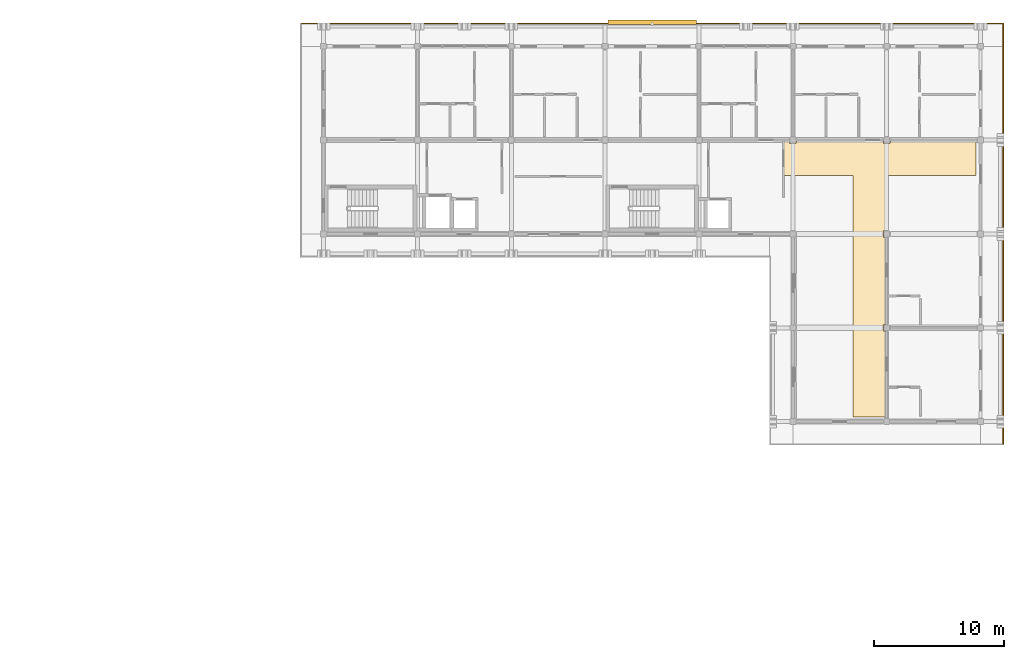
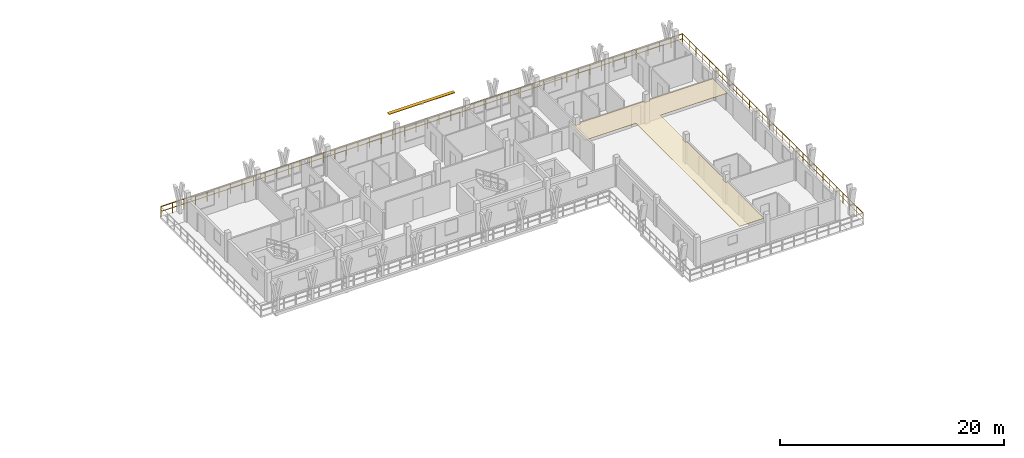
# One storey, part 56 of 56: 2 railings, 1 covering, 1 shading device.
"""IFC4 building model written with IfcOpenShell, lengths in metres."""

from ifc_helpers import new_model, si_unit, direction, frame, origin, origin_2d, place, context, subcontext, project, spatial, polyline, rectangle, outline, extrude, material, layer, layer_set, type_object, element, save


model = new_model("IFC4")

# Units and contexts
model_context = context("Model", 3, precision=1e-05, world=origin(), true_north=direction((0.0, 1.0)))
body_context = subcontext(model_context, "Body", "Model", "MODEL_VIEW")
ifc_project = project(units=[si_unit("LENGTHUNIT", "METRE"), si_unit("AREAUNIT", "SQUARE_METRE"), si_unit("VOLUMEUNIT", "CUBIC_METRE"), si_unit("PLANEANGLEUNIT", "RADIAN"), si_unit("MASSUNIT", "GRAM", prefix="KILO")], contexts=[model_context])

# Site, building, storey
site_placement = place(None, origin())
site = spatial("IfcSite", under=ifc_project, at=site_placement, CompositionType="ELEMENT")
building_placement = place(site_placement, origin())
building = spatial("IfcBuilding", under=site, at=building_placement, Name="Suanplinth Sawtooth Commons", CompositionType="ELEMENT")
storey_placement = place(building_placement, frame((0.0, 0.0, 34.800048828125)))
storey = spatial("IfcBuildingStorey", under=building, at=storey_placement, Name="L10", CompositionType="ELEMENT", Elevation=34.800048828125)

# Covering
ifc_material_1 = material(Name="Mineral fibre acoustic tile")
ifc_layer = layer(ifc_material_1, 0.0400390625, Name="Perforated mineral-fibre acoustic suspended ceiling")
ifc_layer_set = layer_set([ifc_layer], Name="Mineral fibre acoustic tile")
covering_type = type_object("IfcCoveringType", Name="CV-CE01", PredefinedType="CEILING", material=ifc_layer_set)
covering_placement = place(storey_placement, frame((0.0, 0.0, 2.3798828125)))
element("IfcCovering", 1, at=covering_placement, inside=storey, type_object=covering_type, Name="L10 Block B Corridor Acoustic Ceiling", PredefinedType="CEILING", context=body_context, shape_type="SweptSolid", body=[
    extrude(outline(polyline([(172.544921875, 115.1201171875), (172.544921875, 114.945068359375), (173.054931640625, 114.945068359375), (173.054931640625, 115.1201171875), (179.7451171875, 115.1201171875), (179.7451171875, 114.945068359375), (180.2548828125, 114.945068359375), (180.2548828125, 115.1201171875), (186.840087890625, 115.1201171875), (186.840087890625, 112.5), (179.919921875, 112.5), (179.919921875, 108.2548828125), (179.7451171875, 108.2548828125), (179.7451171875, 107.7451171875), (179.919921875, 107.7451171875), (179.919921875, 101.054931640625), (179.7451171875, 101.054931640625), (179.7451171875, 100.544921875), (179.919921875, 100.544921875), (179.919921875, 93.9599609375), (177.39990234375, 93.9599609375), (177.39990234375, 112.5), (172.1201171875, 112.5), (172.1201171875, 115.1201171875), (172.544921875, 115.1201171875)])), origin(), (0.0, 0.0, 1.0), 0.0400390625),
])

# Railings
ifc_material_2 = material(Name="Powder-coated galvanized steel", Category="steel")
railing_type = type_object("IfcRailingType", Name="GR-01", PredefinedType="BALUSTRADE", material=ifc_material_2)
railing_1_placement = place(storey_placement, frame((135.06005859375, 124.139892578125, 0.0)))
element("IfcRailing", 2, at=railing_1_placement, inside=storey, type_object=railing_type, Name="L10 Block B Perimeter Balustrade 4", PredefinedType="BALUSTRADE", context=body_context, shape_type="SweptSolid", body=[
    extrude(rectangle(XDim=0.048095703125, YDim=0.048095703125, at=origin_2d()), frame((0.0, 0.0, 1.09619140625), z_axis=(1.0, 0.0, 0.0), x_axis=(0.0, 1.0, 0.0)), (0.0, 0.0, 1.0), 53.8798828125),
    extrude(rectangle(XDim=0.03369140625, YDim=0.03369140625, at=origin_2d()), frame((0.0, 0.0, 0.56005859375), z_axis=(1.0, 0.0, 0.0), x_axis=(0.0, 1.0, 0.0)), (0.0, 0.0, 1.0), 53.8798828125),
    extrude(rectangle(XDim=0.0419921875, YDim=0.0419921875, at=origin_2d()), origin(), (0.0, 0.0, 1.0), 1.072021484375),
    extrude(rectangle(XDim=0.0419921875, YDim=0.0419921875, at=origin_2d()), frame((1.197265625, 0.0, 0.0)), (0.0, 0.0, 1.0), 1.072021484375),
    extrude(rectangle(XDim=0.0419921875, YDim=0.0419921875, at=origin_2d()), frame((2.394775390625, 0.0, 0.0)), (0.0, 0.0, 1.0), 1.072021484375),
    extrude(rectangle(XDim=0.0419921875, YDim=0.0419921875, at=origin_2d()), frame((3.592041015625, 0.0, 0.0)), (0.0, 0.0, 1.0), 1.072021484375),
    extrude(rectangle(XDim=0.0419921875, YDim=0.0419921875, at=origin_2d()), frame((4.789306640625, 0.0, 0.0)), (0.0, 0.0, 1.0), 1.072021484375),
    extrude(rectangle(XDim=0.0419921875, YDim=0.0419921875, at=origin_2d()), frame((5.986572265625, 0.0, 0.0)), (0.0, 0.0, 1.0), 1.072021484375),
    extrude(rectangle(XDim=0.0419921875, YDim=0.0419921875, at=origin_2d()), frame((7.18408203125, 0.0, 0.0)), (0.0, 0.0, 1.0), 1.072021484375),
    extrude(rectangle(XDim=0.0419921875, YDim=0.0419921875, at=origin_2d()), frame((8.38134765625, 0.0, 0.0)), (0.0, 0.0, 1.0), 1.072021484375),
    extrude(rectangle(XDim=0.0419921875, YDim=0.0419921875, at=origin_2d()), frame((9.57861328125, 0.0, 0.0)), (0.0, 0.0, 1.0), 1.072021484375),
    extrude(rectangle(XDim=0.0419921875, YDim=0.0419921875, at=origin_2d()), frame((10.77587890625, 0.0, 0.0)), (0.0, 0.0, 1.0), 1.072021484375),
    extrude(rectangle(XDim=0.0419921875, YDim=0.0419921875, at=origin_2d()), frame((11.973388671875, 0.0, 0.0)), (0.0, 0.0, 1.0), 1.072021484375),
    extrude(rectangle(XDim=0.0419921875, YDim=0.0419921875, at=origin_2d()), frame((13.170654296875, 0.0, 0.0)), (0.0, 0.0, 1.0), 1.072021484375),
    extrude(rectangle(XDim=0.0419921875, YDim=0.0419921875, at=origin_2d()), frame((14.367919921875, 0.0, 0.0)), (0.0, 0.0, 1.0), 1.072021484375),
    extrude(rectangle(XDim=0.0419921875, YDim=0.0419921875, at=origin_2d()), frame((15.565185546875, 0.0, 0.0)), (0.0, 0.0, 1.0), 1.072021484375),
    extrude(rectangle(XDim=0.0419921875, YDim=0.0419921875, at=origin_2d()), frame((16.7626953125, 0.0, 0.0)), (0.0, 0.0, 1.0), 1.072021484375),
    extrude(rectangle(XDim=0.0419921875, YDim=0.0419921875, at=origin_2d()), frame((17.9599609375, 0.0, 0.0)), (0.0, 0.0, 1.0), 1.072021484375),
    extrude(rectangle(XDim=0.0419921875, YDim=0.0419921875, at=origin_2d()), frame((19.1572265625, 0.0, 0.0)), (0.0, 0.0, 1.0), 1.072021484375),
    extrude(rectangle(XDim=0.0419921875, YDim=0.0419921875, at=origin_2d()), frame((20.354736328125, 0.0, 0.0)), (0.0, 0.0, 1.0), 1.072021484375),
    extrude(rectangle(XDim=0.0419921875, YDim=0.0419921875, at=origin_2d()), frame((21.552001953125, 0.0, 0.0)), (0.0, 0.0, 1.0), 1.072021484375),
    extrude(rectangle(XDim=0.0419921875, YDim=0.0419921875, at=origin_2d()), frame((22.749267578125, 0.0, 0.0)), (0.0, 0.0, 1.0), 1.072021484375),
    extrude(rectangle(XDim=0.0419921875, YDim=0.0419921875, at=origin_2d()), frame((23.946533203125, 0.0, 0.0)), (0.0, 0.0, 1.0), 1.072021484375),
    extrude(rectangle(XDim=0.0419921875, YDim=0.0419921875, at=origin_2d()), frame((25.14404296875, 0.0, 0.0)), (0.0, 0.0, 1.0), 1.072021484375),
    extrude(rectangle(XDim=0.0419921875, YDim=0.0419921875, at=origin_2d()), frame((26.34130859375, 0.0, 0.0)), (0.0, 0.0, 1.0), 1.072021484375),
    extrude(rectangle(XDim=0.0419921875, YDim=0.0419921875, at=origin_2d()), frame((27.53857421875, 0.0, 0.0)), (0.0, 0.0, 1.0), 1.072021484375),
    extrude(rectangle(XDim=0.0419921875, YDim=0.0419921875, at=origin_2d()), frame((28.73583984375, 0.0, 0.0)), (0.0, 0.0, 1.0), 1.072021484375),
    extrude(rectangle(XDim=0.0419921875, YDim=0.0419921875, at=origin_2d()), frame((29.933349609375, 0.0, 0.0)), (0.0, 0.0, 1.0), 1.072021484375),
    extrude(rectangle(XDim=0.0419921875, YDim=0.0419921875, at=origin_2d()), frame((31.130615234375, 0.0, 0.0)), (0.0, 0.0, 1.0), 1.072021484375),
    extrude(rectangle(XDim=0.0419921875, YDim=0.0419921875, at=origin_2d()), frame((32.327880859375, 0.0, 0.0)), (0.0, 0.0, 1.0), 1.072021484375),
    extrude(rectangle(XDim=0.0419921875, YDim=0.0419921875, at=origin_2d()), frame((33.525146484375, 0.0, 0.0)), (0.0, 0.0, 1.0), 1.072021484375),
    extrude(rectangle(XDim=0.0419921875, YDim=0.0419921875, at=origin_2d()), frame((34.72265625, 0.0, 0.0)), (0.0, 0.0, 1.0), 1.072021484375),
    extrude(rectangle(XDim=0.0419921875, YDim=0.0419921875, at=origin_2d()), frame((35.919921875, 0.0, 0.0)), (0.0, 0.0, 1.0), 1.072021484375),
    extrude(rectangle(XDim=0.0419921875, YDim=0.0419921875, at=origin_2d()), frame((37.1171875, 0.0, 0.0)), (0.0, 0.0, 1.0), 1.072021484375),
    extrude(rectangle(XDim=0.0419921875, YDim=0.0419921875, at=origin_2d()), frame((38.314697265625, 0.0, 0.0)), (0.0, 0.0, 1.0), 1.072021484375),
    extrude(rectangle(XDim=0.0419921875, YDim=0.0419921875, at=origin_2d()), frame((39.511962890625, 0.0, 0.0)), (0.0, 0.0, 1.0), 1.072021484375),
    extrude(rectangle(XDim=0.0419921875, YDim=0.0419921875, at=origin_2d()), frame((40.709228515625, 0.0, 0.0)), (0.0, 0.0, 1.0), 1.072021484375),
    extrude(rectangle(XDim=0.0419921875, YDim=0.0419921875, at=origin_2d()), frame((41.906494140625, 0.0, 0.0)), (0.0, 0.0, 1.0), 1.072021484375),
    extrude(rectangle(XDim=0.0419921875, YDim=0.0419921875, at=origin_2d()), frame((43.10400390625, 0.0, 0.0)), (0.0, 0.0, 1.0), 1.072021484375),
    extrude(rectangle(XDim=0.0419921875, YDim=0.0419921875, at=origin_2d()), frame((44.30126953125, 0.0, 0.0)), (0.0, 0.0, 1.0), 1.072021484375),
    extrude(rectangle(XDim=0.0419921875, YDim=0.0419921875, at=origin_2d()), frame((45.49853515625, 0.0, 0.0)), (0.0, 0.0, 1.0), 1.072021484375),
    extrude(rectangle(XDim=0.0419921875, YDim=0.0419921875, at=origin_2d()), frame((46.69580078125, 0.0, 0.0)), (0.0, 0.0, 1.0), 1.072021484375),
    extrude(rectangle(XDim=0.0419921875, YDim=0.0419921875, at=origin_2d()), frame((47.893310546875, 0.0, 0.0)), (0.0, 0.0, 1.0), 1.072021484375),
    extrude(rectangle(XDim=0.0419921875, YDim=0.0419921875, at=origin_2d()), frame((49.090576171875, 0.0, 0.0)), (0.0, 0.0, 1.0), 1.072021484375),
    extrude(rectangle(XDim=0.0419921875, YDim=0.0419921875, at=origin_2d()), frame((50.287841796875, 0.0, 0.0)), (0.0, 0.0, 1.0), 1.072021484375),
    extrude(rectangle(XDim=0.0419921875, YDim=0.0419921875, at=origin_2d()), frame((51.485107421875, 0.0, 0.0)), (0.0, 0.0, 1.0), 1.072021484375),
    extrude(rectangle(XDim=0.0419921875, YDim=0.0419921875, at=origin_2d()), frame((52.6826171875, 0.0, 0.0)), (0.0, 0.0, 1.0), 1.072021484375),
    extrude(rectangle(XDim=0.0419921875, YDim=0.0419921875, at=origin_2d()), frame((53.8798828125, 0.0, 0.0)), (0.0, 0.0, 1.0), 1.072021484375),
])
railing_2_placement = place(storey_placement, frame((188.93994140625, 124.139892578125, 0.0)))
element("IfcRailing", 3, at=railing_2_placement, inside=storey, type_object=railing_type, Name="L10 Block B Perimeter Balustrade 5", PredefinedType="BALUSTRADE", context=body_context, shape_type="SweptSolid", body=[
    extrude(rectangle(XDim=0.048095703125, YDim=0.048095703125, at=origin_2d()), frame((0.0, 0.0, 1.09619140625), z_axis=(0.0, -1.0, 0.0), x_axis=(1.0, 0.0, 0.0)), (0.0, 0.0, 1.0), 32.27978515625),
    extrude(rectangle(XDim=0.03369140625, YDim=0.03369140625, at=origin_2d()), frame((0.0, 0.0, 0.56005859375), z_axis=(0.0, -1.0, 0.0), x_axis=(1.0, 0.0, 0.0)), (0.0, 0.0, 1.0), 32.27978515625),
    extrude(rectangle(XDim=0.0419921875, YDim=0.0419921875, at=origin_2d()), origin(), (0.0, 0.0, 1.0), 1.072021484375),
    extrude(rectangle(XDim=0.0419921875, YDim=0.0419921875, at=origin_2d()), frame((0.0, -1.195556640625, 0.0)), (0.0, 0.0, 1.0), 1.072021484375),
    extrude(rectangle(XDim=0.0419921875, YDim=0.0419921875, at=origin_2d()), frame((0.0, -2.39111328125, 0.0)), (0.0, 0.0, 1.0), 1.072021484375),
    extrude(rectangle(XDim=0.0419921875, YDim=0.0419921875, at=origin_2d()), frame((0.0, -3.586669921875, 0.0)), (0.0, 0.0, 1.0), 1.072021484375),
    extrude(rectangle(XDim=0.0419921875, YDim=0.0419921875, at=origin_2d()), frame((0.0, -4.7822265625, 0.0)), (0.0, 0.0, 1.0), 1.072021484375),
    extrude(rectangle(XDim=0.0419921875, YDim=0.0419921875, at=origin_2d()), frame((0.0, -5.977783203125, 0.0)), (0.0, 0.0, 1.0), 1.072021484375),
    extrude(rectangle(XDim=0.0419921875, YDim=0.0419921875, at=origin_2d()), frame((0.0, -7.17333984375, 0.0)), (0.0, 0.0, 1.0), 1.072021484375),
    extrude(rectangle(XDim=0.0419921875, YDim=0.0419921875, at=origin_2d()), frame((0.0, -8.368896484375, 0.0)), (0.0, 0.0, 1.0), 1.072021484375),
    extrude(rectangle(XDim=0.0419921875, YDim=0.0419921875, at=origin_2d()), frame((0.0, -9.564453125, 0.0)), (0.0, 0.0, 1.0), 1.072021484375),
    extrude(rectangle(XDim=0.0419921875, YDim=0.0419921875, at=origin_2d()), frame((0.0, -10.760009765625, 0.0)), (0.0, 0.0, 1.0), 1.072021484375),
    extrude(rectangle(XDim=0.0419921875, YDim=0.0419921875, at=origin_2d()), frame((0.0, -11.95556640625, 0.0)), (0.0, 0.0, 1.0), 1.072021484375),
    extrude(rectangle(XDim=0.0419921875, YDim=0.0419921875, at=origin_2d()), frame((0.0, -13.151123046875, 0.0)), (0.0, 0.0, 1.0), 1.072021484375),
    extrude(rectangle(XDim=0.0419921875, YDim=0.0419921875, at=origin_2d()), frame((0.0, -14.3466796875, 0.0)), (0.0, 0.0, 1.0), 1.072021484375),
    extrude(rectangle(XDim=0.0419921875, YDim=0.0419921875, at=origin_2d()), frame((0.0, -15.542236328125, 0.0)), (0.0, 0.0, 1.0), 1.072021484375),
    extrude(rectangle(XDim=0.0419921875, YDim=0.0419921875, at=origin_2d()), frame((0.0, -16.737548828125, 0.0)), (0.0, 0.0, 1.0), 1.072021484375),
    extrude(rectangle(XDim=0.0419921875, YDim=0.0419921875, at=origin_2d()), frame((0.0, -17.93310546875, 0.0)), (0.0, 0.0, 1.0), 1.072021484375),
    extrude(rectangle(XDim=0.0419921875, YDim=0.0419921875, at=origin_2d()), frame((0.0, -19.128662109375, 0.0)), (0.0, 0.0, 1.0), 1.072021484375),
    extrude(rectangle(XDim=0.0419921875, YDim=0.0419921875, at=origin_2d()), frame((0.0, -20.32421875, 0.0)), (0.0, 0.0, 1.0), 1.072021484375),
    extrude(rectangle(XDim=0.0419921875, YDim=0.0419921875, at=origin_2d()), frame((0.0, -21.519775390625, 0.0)), (0.0, 0.0, 1.0), 1.072021484375),
    extrude(rectangle(XDim=0.0419921875, YDim=0.0419921875, at=origin_2d()), frame((0.0, -22.71533203125, 0.0)), (0.0, 0.0, 1.0), 1.072021484375),
    extrude(rectangle(XDim=0.0419921875, YDim=0.0419921875, at=origin_2d()), frame((0.0, -23.910888671875, 0.0)), (0.0, 0.0, 1.0), 1.072021484375),
    extrude(rectangle(XDim=0.0419921875, YDim=0.0419921875, at=origin_2d()), frame((0.0, -25.1064453125, 0.0)), (0.0, 0.0, 1.0), 1.072021484375),
    extrude(rectangle(XDim=0.0419921875, YDim=0.0419921875, at=origin_2d()), frame((0.0, -26.302001953125, 0.0)), (0.0, 0.0, 1.0), 1.072021484375),
    extrude(rectangle(XDim=0.0419921875, YDim=0.0419921875, at=origin_2d()), frame((0.0, -27.49755859375, 0.0)), (0.0, 0.0, 1.0), 1.072021484375),
    extrude(rectangle(XDim=0.0419921875, YDim=0.0419921875, at=origin_2d()), frame((0.0, -28.693115234375, 0.0)), (0.0, 0.0, 1.0), 1.072021484375),
    extrude(rectangle(XDim=0.0419921875, YDim=0.0419921875, at=origin_2d()), frame((0.0, -29.888671875, 0.0)), (0.0, 0.0, 1.0), 1.072021484375),
    extrude(rectangle(XDim=0.0419921875, YDim=0.0419921875, at=origin_2d()), frame((0.0, -31.084228515625, 0.0)), (0.0, 0.0, 1.0), 1.072021484375),
    extrude(rectangle(XDim=0.0419921875, YDim=0.0419921875, at=origin_2d()), frame((0.0, -32.27978515625, 0.0)), (0.0, 0.0, 1.0), 1.072021484375),
])

# Shading device
ifc_material_3 = material(Name="Anodized aluminium 6063-T6", Category="aluminium")
shading_device_type = type_object("IfcShadingDeviceType", Name="SHD-01", PredefinedType="JALOUSIE", material=ifc_material_3)
shading_device_placement = place(storey_placement, frame((162.0, 124.239990234375, 2.919921875), z_axis=(0.0, 0.0, 1.0), x_axis=(1.0, 0.0, 0.0)))
element("IfcShadingDevice", 4, at=shading_device_placement, inside=storey, type_object=shading_device_type, Name="Monsoon Louvre L10-B-1", PredefinedType="JALOUSIE", context=body_context, shape_type="SweptSolid", body=[
    extrude(rectangle(XDim=6.800048828125, YDim=0.35009765625, at=origin_2d()), origin(), (0.0, 0.0, 1.0), 0.06005859375),
])

save(model, "model.ifc")
